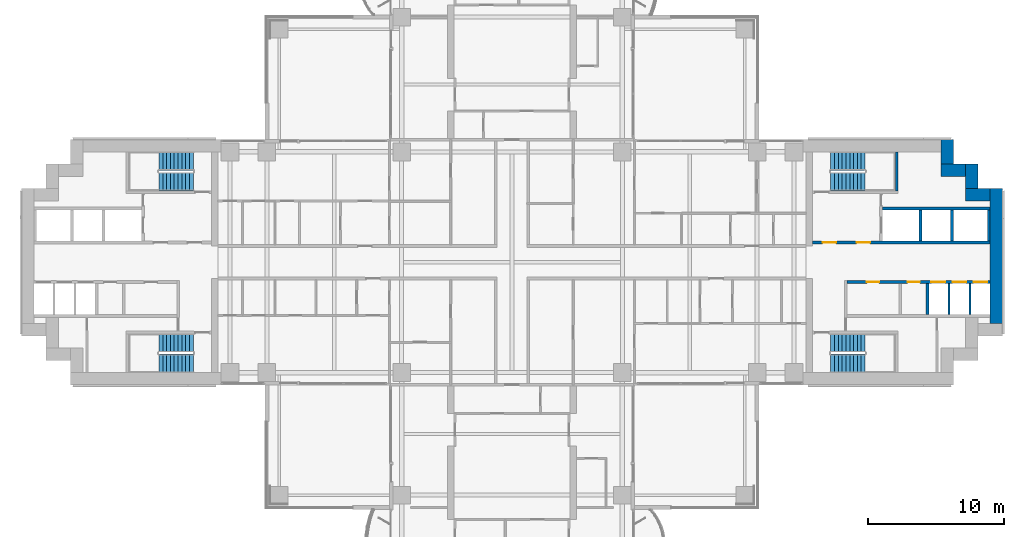
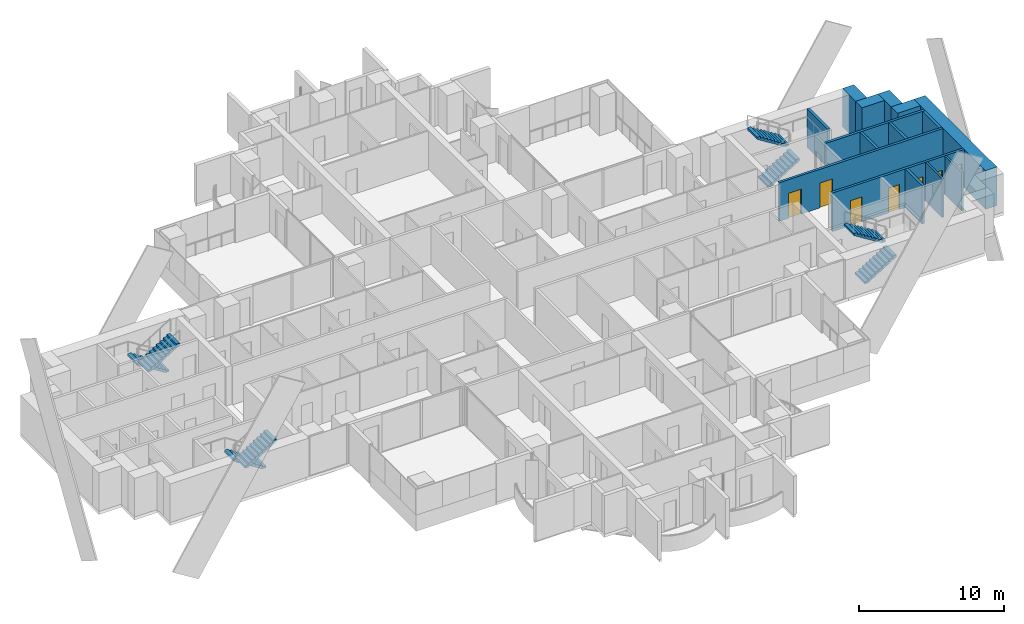
# One storey, part 17 of 21: 15 walls, 8 stair flights, 7 doors, 7 openings, 4 elements without a shape of their own.
"""IFC4 building model written with IfcOpenShell, lengths in metres."""

import ifcopenshell
import ifcopenshell.guid

model = None  # the IFC model being written
_history = None  # IfcOwnerHistory: only IFC2X3 demands one
_inside = {}  # id of a spatial element -> (the spatial element, [elements in it])
_under = {}  # id of a project, library or spatial element -> (it, [spatial elements below it])
_declared = {}  # id of a project -> (the project, [libraries it declares])
_typed = {}  # id of a type object -> (the type object, [elements of that type])
_made_of = {}  # id of a material, layer set ... -> (it, [elements and type objects made of it])


def new_model(schema):
    """Start an empty IFC model of exactly this schema.

    Asked for "IFC4X3", IfcOpenShell would pick the latest addendum, in which some entities
    have other attributes; the version numbers below select the first issue.
    IFC2X3 requires an IfcOwnerHistory on every rooted entity: one is made here for all.
    """
    global model, _history
    if schema == "IFC4X3":
        model = ifcopenshell.file(schema_version=(4, 3, 0, 0))
    else:
        model = ifcopenshell.file(schema=schema)
    _inside.clear()
    _under.clear()
    _declared.clear()
    _typed.clear()
    _made_of.clear()
    _history = None
    if model.schema == "IFC2X3":
        org = make("IfcOrganization", Name="unknown")
        user = make(
            "IfcPersonAndOrganization",
            ThePerson=make("IfcPerson", FamilyName="unknown"),
            TheOrganization=org,
        )
        app = make(
            "IfcApplication",
            ApplicationDeveloper=org,
            Version="unknown",
            ApplicationFullName="unknown",
            ApplicationIdentifier="unknown",
        )
        _history = make(
            "IfcOwnerHistory",
            OwningUser=user,
            OwningApplication=app,
            ChangeAction="ADDED",
            CreationDate=0,
        )
    return model


def make(cls, **values):
    """One entity of the class cls with the attributes given. An attribute that is None is left unset."""
    return model.create_entity(
        cls, **{name: value for name, value in values.items() if value is not None}
    )


def rooted(cls, **values):
    """An entity with a GlobalId (a new one), such as an element, a storey or a relation."""
    return make(cls, GlobalId=ifcopenshell.guid.new(), OwnerHistory=_history, **values)


def si_unit(unit_type, name, prefix=None):
    """IfcSIUnit, for example si_unit("LENGTHUNIT", "METRE", prefix="MILLI")."""
    return make("IfcSIUnit", UnitType=unit_type, Prefix=prefix, Name=name)


def assignment(units):
    """IfcUnitAssignment: the units of a project."""
    return None if units is None else make("IfcUnitAssignment", Units=units)


def point(xyz):
    """IfcCartesianPoint."""
    return None if xyz is None else make("IfcCartesianPoint", Coordinates=xyz)


def direction(xyz):
    """IfcDirection."""
    return None if xyz is None else make("IfcDirection", DirectionRatios=xyz)


def frame(location, z_axis=None, x_axis=None):
    """IfcAxis2Placement3D, a coordinate frame: its origin and axes. An axis left out is left unset."""
    return make(
        "IfcAxis2Placement3D",
        Location=point(location),
        Axis=direction(z_axis),
        RefDirection=direction(x_axis),
    )


def frame_2d(location, x_axis=None):
    """IfcAxis2Placement2D, a coordinate frame in the plane: its origin and x axis."""
    return make(
        "IfcAxis2Placement2D", Location=point(location), RefDirection=direction(x_axis)
    )


def origin():
    """The frame at (0, 0, 0) with its axes left unset."""
    return frame((0.0, 0.0, 0.0))


def place(relative_to, where):
    """IfcLocalPlacement: puts the frame where relative to a parent placement (None: the world)."""
    return make(
        "IfcLocalPlacement", PlacementRelTo=relative_to, RelativePlacement=where
    )


def context(
    kind, dimensions, precision=None, world=None, true_north=None, identifier=None
):
    """IfcGeometricRepresentationContext, for example the 3D "Model" context."""
    return make(
        "IfcGeometricRepresentationContext",
        ContextIdentifier=identifier,
        ContextType=kind,
        CoordinateSpaceDimension=dimensions,
        Precision=precision,
        WorldCoordinateSystem=world,
        TrueNorth=true_north,
    )


def subcontext(parent, identifier, kind, view, scale=None):
    """IfcGeometricRepresentationSubContext, for example "Body" below "Model"."""
    return make(
        "IfcGeometricRepresentationSubContext",
        ContextIdentifier=identifier,
        ContextType=kind,
        ParentContext=parent,
        TargetScale=scale,
        TargetView=view,
    )


def project(units=None, contexts=None):
    """IfcProject with its units and contexts."""
    return rooted(
        "IfcProject",
        Name="project",
        RepresentationContexts=contexts,
        UnitsInContext=assignment(units),
    )


def spatial(cls, under=None, at=None, **own):
    """A site, building, storey or space (cls), placed at a placement, below another one or the project."""
    s = rooted(cls, ObjectPlacement=at, **own)
    if under is not None:
        _under.setdefault(under.id(), (under, []))[1].append(s)
    return s


def polyline(points):
    """IfcPolyline through the points."""
    return make("IfcPolyline", Points=[point(p) for p in points])


def profile(cls, at=None, kind="AREA", **sizes):
    """A parametric profile (cls). Its sizes go by their IFC names, for example OverallWidth=200.0."""
    return make(cls, ProfileType=kind, Position=at, **sizes)


def rectangle(**sizes):
    """IfcRectangleProfileDef."""
    return profile("IfcRectangleProfileDef", **sizes)


def outline(outer, holes=None, kind="AREA"):
    """IfcArbitraryClosedProfileDef: a profile drawn as a closed curve; with holes, ...WithVoids."""
    if holes is None:
        return make("IfcArbitraryClosedProfileDef", ProfileType=kind, OuterCurve=outer)
    return make(
        "IfcArbitraryProfileDefWithVoids",
        ProfileType=kind,
        OuterCurve=outer,
        InnerCurves=holes,
    )


def extrude(swept, where, along, depth):
    """IfcExtrudedAreaSolid: the profile swept, set in the frame where, extruded along a direction by depth."""
    return make(
        "IfcExtrudedAreaSolid",
        SweptArea=swept,
        Position=where,
        ExtrudedDirection=direction(along),
        Depth=depth,
    )


def shape(context_of_items, identifier, shape_type, items):
    """IfcShapeRepresentation: the items that make up one representation, for example the "Body"."""
    return make(
        "IfcShapeRepresentation",
        ContextOfItems=context_of_items,
        RepresentationIdentifier=identifier,
        RepresentationType=shape_type,
        Items=items,
    )


def material(Name=None, Category=None):
    """IfcMaterial."""
    return make("IfcMaterial", Name=Name, Category=Category)


def layer(
    of_material, thickness, ventilated=None, Name=None, Category=None, Priority=None
):
    """IfcMaterialLayer: one layer of a wall or slab, of a material (None: an air gap)."""
    return make(
        "IfcMaterialLayer",
        Material=of_material,
        LayerThickness=thickness,
        IsVentilated=ventilated,
        Name=Name,
        Category=Category,
        Priority=Priority,
    )


def layer_set(layers, Name=None):
    """IfcMaterialLayerSet."""
    return make("IfcMaterialLayerSet", MaterialLayers=layers, LayerSetName=Name)


def made_of(thing, what):
    """Note that an element or type object is made of a material, layer set ...; save() writes the relation."""
    if what is not None:
        _made_of.setdefault(what.id(), (what, []))[1].append(thing)
    return thing


def type_object(cls, material=None, **own):
    """A type object (cls), such as IfcWallType, which elements share."""
    return made_of(rooted(cls, **own), material)


def element(
    cls,
    number,
    at=None,
    inside=None,
    cuts=None,
    type_object=None,
    material=None,
    context=None,
    identifier="Body",
    shape_type=None,
    held_by="IfcProductDefinitionShape",
    body=None,
    shapes=None,
    **own,
):
    """One element of the class cls, such as IfcWall. Its Tag is "e" and its number.

    at: its placement. inside: the storey or other place that contains it. cuts: it is an
    opening in that element (IfcRelVoidsElement). A single representation is given by context,
    identifier, shape_type and body (its items); several are given by shapes. held_by: the class
    of the entity that holds the representations. save() writes the other relations.
    """
    e = rooted(cls, Tag="e%d" % number, ObjectPlacement=at, **own)
    if body is not None:
        shapes = [shape(context, identifier, shape_type, body)]
    if shapes is not None:
        e.Representation = make(held_by, Representations=shapes)
    if inside is not None:
        _inside.setdefault(inside.id(), (inside, []))[1].append(e)
    if cuts is not None:
        rooted(
            "IfcRelVoidsElement", RelatingBuildingElement=cuts, RelatedOpeningElement=e
        )
    if type_object is not None:
        _typed.setdefault(type_object.id(), (type_object, []))[1].append(e)
    return made_of(e, material)


def fill(opening, filler):
    """IfcRelFillsElement: the door or window that sits in an opening."""
    return rooted(
        "IfcRelFillsElement",
        RelatingOpeningElement=opening,
        RelatedBuildingElement=filler,
    )


def aggregate(whole, parts):
    """IfcRelAggregates: a whole, such as a stair, and the parts it consists of."""
    return rooted("IfcRelAggregates", RelatingObject=whole, RelatedObjects=parts)


def save(model, path):
    """Write the relations noted so far, then the file.

    IfcRelAggregates (storeys below a building ...), IfcRelContainedInSpatialStructure (elements
    in a storey), IfcRelDefinesByType, IfcRelAssociatesMaterial and IfcRelDeclares: one each for
    every whole, place, type object, material and project.
    """
    for whole, parts in _under.values():
        aggregate(whole, parts)
    for where, things in _inside.values():
        rooted(
            "IfcRelContainedInSpatialStructure",
            RelatedElements=things,
            RelatingStructure=where,
        )
    for kind, things in _typed.values():
        rooted("IfcRelDefinesByType", RelatedObjects=things, RelatingType=kind)
    for what, things in _made_of.values():
        rooted("IfcRelAssociatesMaterial", RelatedObjects=things, RelatingMaterial=what)
    for by, libraries in _declared.values():
        rooted("IfcRelDeclares", RelatingContext=by, RelatedDefinitions=libraries)
    model.write(path)


model = new_model("IFC4")

# Units and contexts
model_context = context("Model", 3, precision=1e-05, world=origin(), true_north=direction((0.0, 1.0)))
body_context = subcontext(model_context, "Body", "Model", "MODEL_VIEW")
ifc_project = project(units=[si_unit("LENGTHUNIT", "METRE"), si_unit("AREAUNIT", "SQUARE_METRE"), si_unit("VOLUMEUNIT", "CUBIC_METRE"), si_unit("PLANEANGLEUNIT", "RADIAN"), si_unit("MASSUNIT", "GRAM", prefix="KILO")], contexts=[model_context])

# Site, building, storey
site_placement = place(None, origin())
site = spatial("IfcSite", under=ifc_project, at=site_placement, CompositionType="ELEMENT")
building_placement = place(site_placement, origin())
building = spatial("IfcBuilding", under=site, at=building_placement, Name="Perihelion Cross Residences", CompositionType="ELEMENT")
storey_placement = place(building_placement, frame((0.0, 0.0, 75.0)))
storey = spatial("IfcBuildingStorey", under=building, at=storey_placement, Name="L16", CompositionType="ELEMENT", Elevation=75.0)

# Walls
ifc_material_1 = material(Name="Concrete C60/75", Category="concrete")
ifc_layer_1 = layer(ifc_material_1, 0.89990234375)
ifc_layer_set_1 = layer_set([ifc_layer_1], Name="Core wall, outer 900")
wall_type_1 = type_object("IfcWallType", Name="Core wall, outer 900", PredefinedType="SHEAR", material=ifc_layer_set_1)
wall_1_placement = place(storey_placement, frame((35.550048828125, -4.5, 0.0), z_axis=(0.0, 0.0, 1.0), x_axis=(0.0, 1.0, 0.0)))
element("IfcWall", 1, at=wall_1_placement, inside=storey, type_object=wall_type_1, Name="East core core wall, outer", PredefinedType="SHEAR", context=body_context, shape_type="SweptSolid", body=[
    extrude(rectangle(XDim=9.89990234375, YDim=0.89990234375, at=frame_2d((4.949951171875, 0.0))), origin(), (0.0, 0.0, 1.0), 3.25),
])
for number, where, z_axis, x_axis, name in (
    (2, (33.300048828125, 4.949951171875, 0.0), (0.0, 0.0, 1.0), (1.0, 0.0, 0.0), "East core core wall, outer"),
    (3, (33.75, 5.39990234375, 0.0), (0.0, 0.0, 1.0), (0.0, 1.0, 0.0), "East core core wall, outer"),
    (4, (31.5, 6.75, 0.0), (0.0, 0.0, 1.0), (1.0, 0.0, 0.0), "East core core wall, outer"),
    (5, (31.949951171875, 7.199951171875, 0.0), (0.0, 0.0, 1.0), (0.0, 1.0, 0.0), "East core core wall, outer"),
):
    element("IfcWall", number, at=place(storey_placement, frame(where, z_axis=z_axis, x_axis=x_axis)), inside=storey, type_object=wall_type_1, Name=name, PredefinedType="SHEAR", context=body_context, shape_type="SweptSolid", body=[
        extrude(rectangle(XDim=1.800048828125, YDim=0.89990234375, at=frame_2d((0.89990234375, 0.0))), origin(), (0.0, 0.0, 1.0), 3.25),
    ])
ifc_material_2 = material(Name="Concrete C50/60", Category="concrete")
ifc_layer_2 = layer(ifc_material_2, 0.14990234375)
ifc_layer_set_2 = layer_set([ifc_layer_2], Name="Shaft wall 150")
wall_type_2 = type_object("IfcWallType", Name="Shaft wall 150", PredefinedType="SOLIDWALL", material=ifc_layer_set_2)
for number, where, z_axis, x_axis, name in (
    (6, (32.074951171875, -3.85009765625, 0.0), (0.0, 0.0, 1.0), (0.0, 1.0, 0.0), "East core shaft wall"),
    (7, (33.625, -3.85009765625, 0.0), (0.0, 0.0, 1.0), (0.0, 1.0, 0.0), "East core shaft wall"),
):
    element("IfcWall", number, at=place(storey_placement, frame(where, z_axis=z_axis, x_axis=x_axis)), inside=storey, type_object=wall_type_2, Name=name, PredefinedType="SOLIDWALL", context=body_context, shape_type="SweptSolid", body=[
        extrude(rectangle(XDim=2.300048828125, YDim=0.14990234375, at=frame_2d((1.14990234375, 0.0))), origin(), (0.0, 0.0, 1.0), 3.25),
    ])

# Wall, openings, doors
ifc_material_3 = material(Name="Concrete C50/60", Category="concrete")
ifc_layer_3 = layer(ifc_material_3, 0.199951171875)
ifc_layer_set_3 = layer_set([ifc_layer_3], Name="Shaft wall 200")
wall_type_3 = type_object("IfcWallType", Name="Shaft wall 200", PredefinedType="SOLIDWALL", material=ifc_layer_set_3)
wall_2_placement = place(storey_placement, frame((22.050048828125, 1.449951171875, 0.0), z_axis=(0.0, 0.0, 1.0), x_axis=(1.0, 0.0, 0.0)))
wall_2 = element("IfcWall", 8, at=wall_2_placement, inside=storey, type_object=wall_type_3, Name="East core shaft wall", PredefinedType="SOLIDWALL", context=body_context, shape_type="SweptSolid", body=[
    extrude(rectangle(XDim=13.050048828125, YDim=0.199951171875, at=frame_2d((6.52490234375, 0.0))), origin(), (0.0, 0.0, 1.0), 3.25),
])
opening_1_placement = place(wall_2_placement, frame((0.75, 0.0, 0.0)))
opening_1 = element("IfcOpeningElement", 9, at=opening_1_placement, cuts=wall_2, Name="Opening L16.C07", PredefinedType="OPENING", context=body_context, shape_type="SweptSolid", body=[
    extrude(rectangle(XDim=1.0, YDim=2.10009765625, at=frame_2d((0.5, 1.050048828125))), frame((0.0, 0.10986328125, 0.0), z_axis=(0.0, -1.0, 0.0), x_axis=(1.0, 0.0, 0.0)), (0.0, 0.0, 1.0), 0.219970703125),
])
opening_2_placement = place(wall_2_placement, frame((3.25, 0.0, 0.0)))
opening_2 = element("IfcOpeningElement", 10, at=opening_2_placement, cuts=wall_2, Name="Opening L16.C09", PredefinedType="OPENING", context=body_context, shape_type="SweptSolid", body=[
    extrude(rectangle(XDim=1.0, YDim=2.10009765625, at=frame_2d((0.5, 1.050048828125))), frame((0.0, 0.10986328125, 0.0), z_axis=(0.0, -1.0, 0.0), x_axis=(1.0, 0.0, 0.0)), (0.0, 0.0, 1.0), 0.219970703125),
])
ifc_material_4 = material(Name="Steel, powder coated", Category="steel")
door_type_1 = type_object("IfcDoorType", Name="Lobby door 1000", OperationType="SINGLE_SWING_LEFT", PredefinedType="DOOR", material=ifc_material_4)
door_1_placement = place(opening_1_placement, origin())
door_1 = element("IfcDoor", 11, at=door_1_placement, inside=storey, type_object=door_type_1, Name="East core firefighting lobby door", OperationType="SINGLE_SWING_LEFT", OverallHeight=2.10009765625, OverallWidth=1.0, PredefinedType="DOOR", context=body_context, shape_type="SweptSolid", body=[
    extrude(rectangle(XDim=1.0, YDim=2.10009765625, at=frame_2d((0.5, 1.050048828125))), frame((0.0, 0.02490234375, 0.0), z_axis=(0.0, -1.0, 0.0), x_axis=(1.0, 0.0, 0.0)), (0.0, 0.0, 1.0), 0.050048828125),
])
fill(opening_1, door_1)
door_2_placement = place(opening_2_placement, origin())
door_2 = element("IfcDoor", 12, at=door_2_placement, inside=storey, type_object=door_type_1, Name="East core firefighting lobby door", OperationType="SINGLE_SWING_LEFT", OverallHeight=2.10009765625, OverallWidth=1.0, PredefinedType="DOOR", context=body_context, shape_type="SweptSolid", body=[
    extrude(rectangle(XDim=1.0, YDim=2.10009765625, at=frame_2d((0.5, 1.050048828125))), frame((0.0, 0.02490234375, 0.0), z_axis=(0.0, -1.0, 0.0), x_axis=(1.0, 0.0, 0.0)), (0.0, 0.0, 1.0), 0.050048828125),
])
fill(opening_2, door_2)

wall_3_placement = place(storey_placement, frame((24.60009765625, -1.449951171875, 0.0), z_axis=(0.0, 0.0, 1.0), x_axis=(1.0, 0.0, 0.0)))
wall_3 = element("IfcWall", 13, at=wall_3_placement, inside=storey, type_object=wall_type_3, Name="East core shaft wall", PredefinedType="SOLIDWALL", context=body_context, shape_type="SweptSolid", body=[
    extrude(rectangle(XDim=10.5, YDim=0.199951171875, at=frame_2d((5.25, 0.0))), origin(), (0.0, 0.0, 1.0), 3.25),
])
opening_3_placement = place(wall_3_placement, frame((6.199951171875, 0.0, 0.0)))
opening_3 = element("IfcOpeningElement", 14, at=opening_3_placement, cuts=wall_3, Name="Opening L16.C02", PredefinedType="OPENING", context=body_context, shape_type="SweptSolid", body=[
    extrude(rectangle(XDim=1.0, YDim=2.10009765625, at=frame_2d((0.5, 1.050048828125))), frame((0.0, 0.10986328125, 0.0), z_axis=(0.0, -1.0, 0.0), x_axis=(1.0, 0.0, 0.0)), (0.0, 0.0, 1.0), 0.219970703125),
])
opening_4_placement = place(wall_3_placement, frame((7.75, 0.0, 0.0)))
opening_4 = element("IfcOpeningElement", 15, at=opening_4_placement, cuts=wall_3, Name="Opening L16.C03", PredefinedType="OPENING", context=body_context, shape_type="SweptSolid", body=[
    extrude(rectangle(XDim=1.0, YDim=2.10009765625, at=frame_2d((0.5, 1.050048828125))), frame((0.0, 0.10986328125, 0.0), z_axis=(0.0, -1.0, 0.0), x_axis=(1.0, 0.0, 0.0)), (0.0, 0.0, 1.0), 0.219970703125),
])
opening_5_placement = place(wall_3_placement, frame((9.300048828125, 0.0, 0.0)))
opening_5 = element("IfcOpeningElement", 16, at=opening_5_placement, cuts=wall_3, Name="Opening L16.C04", PredefinedType="OPENING", context=body_context, shape_type="SweptSolid", body=[
    extrude(rectangle(XDim=1.0, YDim=2.10009765625, at=frame_2d((0.5, 1.050048828125))), frame((0.0, 0.10986328125, 0.0), z_axis=(0.0, -1.0, 0.0), x_axis=(1.0, 0.0, 0.0)), (0.0, 0.0, 1.0), 0.219970703125),
])
opening_6_placement = place(wall_3_placement, frame((1.449951171875, 0.0, 0.0)))
opening_6 = element("IfcOpeningElement", 17, at=opening_6_placement, cuts=wall_3, Name="Opening L16.C10", PredefinedType="OPENING", context=body_context, shape_type="SweptSolid", body=[
    extrude(rectangle(XDim=0.89990234375, YDim=2.10009765625, at=frame_2d((0.449951171875, 1.050048828125))), frame((0.0, 0.10986328125, 0.0), z_axis=(0.0, -1.0, 0.0), x_axis=(1.0, 0.0, 0.0)), (0.0, 0.0, 1.0), 0.219970703125),
])
opening_7_placement = place(wall_3_placement, frame((4.449951171875, 0.0, 0.0)))
opening_7 = element("IfcOpeningElement", 18, at=opening_7_placement, cuts=wall_3, Name="Opening L16.C12", PredefinedType="OPENING", context=body_context, shape_type="SweptSolid", body=[
    extrude(rectangle(XDim=0.89990234375, YDim=2.10009765625, at=frame_2d((0.449951171875, 1.050048828125))), frame((0.0, 0.10986328125, 0.0), z_axis=(0.0, -1.0, 0.0), x_axis=(1.0, 0.0, 0.0)), (0.0, 0.0, 1.0), 0.219970703125),
])
ifc_material_5 = material(Name="Stainless steel", Category="steel")
door_type_2 = type_object("IfcDoorType", Name="Landing door 1000", OperationType="DOUBLE_DOOR_SLIDING", PredefinedType="DOOR", material=ifc_material_5)
door_3_placement = place(opening_3_placement, origin())
door_3 = element("IfcDoor", 19, at=door_3_placement, inside=storey, type_object=door_type_2, Name="Landing door, East core low-rise lift 1", OperationType="DOUBLE_DOOR_SLIDING", OverallHeight=2.10009765625, OverallWidth=1.0, PredefinedType="DOOR", context=body_context, shape_type="SweptSolid", body=[
    extrude(rectangle(XDim=1.0, YDim=2.10009765625, at=frame_2d((0.5, 1.050048828125))), frame((0.0, 0.02490234375, 0.0), z_axis=(0.0, -1.0, 0.0), x_axis=(1.0, 0.0, 0.0)), (0.0, 0.0, 1.0), 0.050048828125),
])
fill(opening_3, door_3)
door_4_placement = place(opening_4_placement, origin())
door_4 = element("IfcDoor", 20, at=door_4_placement, inside=storey, type_object=door_type_2, Name="Landing door, East core low-rise lift 2", OperationType="DOUBLE_DOOR_SLIDING", OverallHeight=2.10009765625, OverallWidth=1.0, PredefinedType="DOOR", context=body_context, shape_type="SweptSolid", body=[
    extrude(rectangle(XDim=1.0, YDim=2.10009765625, at=frame_2d((0.5, 1.050048828125))), frame((0.0, 0.02490234375, 0.0), z_axis=(0.0, -1.0, 0.0), x_axis=(1.0, 0.0, 0.0)), (0.0, 0.0, 1.0), 0.050048828125),
])
fill(opening_4, door_4)
door_5_placement = place(opening_5_placement, origin())
door_5 = element("IfcDoor", 21, at=door_5_placement, inside=storey, type_object=door_type_2, Name="Landing door, East core low-rise lift 3", OperationType="DOUBLE_DOOR_SLIDING", OverallHeight=2.10009765625, OverallWidth=1.0, PredefinedType="DOOR", context=body_context, shape_type="SweptSolid", body=[
    extrude(rectangle(XDim=1.0, YDim=2.10009765625, at=frame_2d((0.5, 1.050048828125))), frame((0.0, 0.02490234375, 0.0), z_axis=(0.0, -1.0, 0.0), x_axis=(1.0, 0.0, 0.0)), (0.0, 0.0, 1.0), 0.050048828125),
])
fill(opening_5, door_5)
ifc_material_6 = material(Name="Steel, powder coated", Category="steel")
door_type_3 = type_object("IfcDoorType", Name="Service room door 900", OperationType="SINGLE_SWING_LEFT", PredefinedType="DOOR", material=ifc_material_6)
door_6_placement = place(opening_6_placement, origin())
door_6 = element("IfcDoor", 22, at=door_6_placement, inside=storey, type_object=door_type_3, Name="East core service room door", OperationType="SINGLE_SWING_LEFT", OverallHeight=2.10009765625, OverallWidth=0.89990234375, PredefinedType="DOOR", context=body_context, shape_type="SweptSolid", body=[
    extrude(rectangle(XDim=0.89990234375, YDim=2.10009765625, at=frame_2d((0.449951171875, 1.050048828125))), frame((0.0, 0.02490234375, 0.0), z_axis=(0.0, -1.0, 0.0), x_axis=(1.0, 0.0, 0.0)), (0.0, 0.0, 1.0), 0.050048828125),
])
fill(opening_6, door_6)
door_7_placement = place(opening_7_placement, origin())
door_7 = element("IfcDoor", 23, at=door_7_placement, inside=storey, type_object=door_type_3, Name="East core service room door", OperationType="SINGLE_SWING_LEFT", OverallHeight=2.10009765625, OverallWidth=0.89990234375, PredefinedType="DOOR", context=body_context, shape_type="SweptSolid", body=[
    extrude(rectangle(XDim=0.89990234375, YDim=2.10009765625, at=frame_2d((0.449951171875, 1.050048828125))), frame((0.0, 0.02490234375, 0.0), z_axis=(0.0, -1.0, 0.0), x_axis=(1.0, 0.0, 0.0)), (0.0, 0.0, 1.0), 0.050048828125),
])
fill(opening_7, door_7)

# Walls
wall_4_placement = place(storey_placement, frame((27.199951171875, 3.949951171875, 0.0), z_axis=(0.0, 0.0, 1.0), x_axis=(1.0, 0.0, 0.0)))
element("IfcWall", 24, at=wall_4_placement, inside=storey, type_object=wall_type_3, Name="East core shaft wall", PredefinedType="SOLIDWALL", context=body_context, shape_type="SweptSolid", body=[
    extrude(rectangle(XDim=7.900146484375, YDim=0.199951171875, at=frame_2d((3.9501953125, 0.0))), origin(), (0.0, 0.0, 1.0), 3.25),
])
for number, where, z_axis, x_axis, name in (
    (25, (30.0, 1.550048828125, 0.0), (0.0, 0.0, 1.0), (0.0, 1.0, 0.0), "East core shaft wall"),
    (26, (32.300048828125, 1.550048828125, 0.0), (0.0, 0.0, 1.0), (0.0, 1.0, 0.0), "East core shaft wall"),
    (27, (35.0, 1.550048828125, 0.0), (0.0, 0.0, 1.0), (0.0, 1.0, 0.0), "East core shaft wall"),
    (28, (30.5, -3.85009765625, 0.0), (0.0, 0.0, 1.0), (0.0, 1.0, 0.0), "East core shaft wall"),
):
    element("IfcWall", number, at=place(storey_placement, frame(where, z_axis=z_axis, x_axis=x_axis)), inside=storey, type_object=wall_type_3, Name=name, PredefinedType="SOLIDWALL", context=body_context, shape_type="SweptSolid", body=[
        extrude(rectangle(XDim=2.300048828125, YDim=0.199951171875, at=frame_2d((1.14990234375, 0.0))), origin(), (0.0, 0.0, 1.0), 3.25),
    ])
ifc_material_7 = material(Name="Concrete C50/60", Category="concrete")
ifc_layer_4 = layer(ifc_material_7, 0.199951171875)
ifc_layer_set_4 = layer_set([ifc_layer_4], Name="Stair wall 200")
wall_type_4 = type_object("IfcWallType", Name="Stair wall 200", PredefinedType="SOLIDWALL", material=ifc_layer_set_4)
wall_5_placement = place(storey_placement, frame((28.25, 5.25, 0.0), z_axis=(0.0, 0.0, 1.0), x_axis=(0.0, 1.0, 0.0)))
element("IfcWall", 29, at=wall_5_placement, inside=storey, type_object=wall_type_4, Name="East core stair wall", PredefinedType="SOLIDWALL", context=body_context, shape_type="SweptSolid", body=[
    extrude(rectangle(XDim=2.85009765625, YDim=0.199951171875, at=frame_2d((1.425048828125, 0.0))), origin(), (0.0, 0.0, 1.0), 3.25),
])

# Stair, stair flights
ifc_material_8 = material(Name="Concrete C40/50", Category="concrete")
stair_type = type_object("IfcStairType", Name="Exit stair, half-turn", PredefinedType="HALF_TURN_STAIR", material=ifc_material_8)
stair_1_placement = place(storey_placement, origin())
stair_1 = element("IfcStair", 30, at=stair_1_placement, inside=storey, type_object=stair_type, Name="L16 East core exit stair 1", PredefinedType="HALF_TURN_STAIR")
ifc_material_9 = material(Name="Concrete C40/50", Category="concrete")
stair_flight_type = type_object("IfcStairFlightType", Name="Exit stair flight", PredefinedType="STRAIGHT", material=ifc_material_9)
stair_flight_1_placement = place(storey_placement, frame((23.39990234375, 5.925048828125, 0.0), z_axis=(0.0, 0.0, 1.0), x_axis=(1.0, 0.0, 0.0)))
stair_flight_1 = element("IfcStairFlight", 31, at=stair_flight_1_placement, type_object=stair_flight_type, Name="ST-E1 flight 1", NumberOfRisers=10, NumberOfTreads=9, PredefinedType="STRAIGHT", RiserHeight=0.175, TreadLength=0.28, context=body_context, shape_type="SweptSolid", body=[
    extrude(outline(polyline([(0.0, 0.0), (0.0, 0.175048828125), (0.280029296875, 0.175048828125), (0.280029296875, 0.35009765625), (0.56005859375, 0.35009765625), (0.56005859375, 0.52490234375), (0.840087890625, 0.52490234375), (0.840087890625, 0.699951171875), (1.1201171875, 0.699951171875), (1.1201171875, 0.875), (1.39990234375, 0.875), (1.39990234375, 1.050048828125), (1.679931640625, 1.050048828125), (1.679931640625, 1.22509765625), (1.9599609375, 1.22509765625), (1.9599609375, 1.39990234375), (2.239990234375, 1.39990234375), (2.239990234375, 1.574951171875), (2.52001953125, 1.574951171875), (2.52001953125, 1.75), (2.52001953125, 1.398193359375), (0.28271484375, 0.0), (0.0, 0.0)])), frame((0.0, 0.675048828125, 0.0), z_axis=(0.0, -1.0, 0.0), x_axis=(1.0, 0.0, 0.0)), (0.0, 0.0, 1.0), 1.35009765625),
])
stair_flight_2_placement = place(storey_placement, frame((25.919921875, 7.425048828125, 1.75), z_axis=(0.0, 0.0, 1.0), x_axis=(-1.0, 0.0, 0.0)))
stair_flight_2 = element("IfcStairFlight", 32, at=stair_flight_2_placement, type_object=stair_flight_type, Name="ST-E1 flight 2", NumberOfRisers=10, NumberOfTreads=9, PredefinedType="STRAIGHT", RiserHeight=0.175, TreadLength=0.28, context=body_context, shape_type="SweptSolid", body=[
    extrude(outline(polyline([(0.0, 0.0), (0.0, 0.175048828125), (0.280029296875, 0.175048828125), (0.280029296875, 0.35009765625), (0.56005859375, 0.35009765625), (0.56005859375, 0.52490234375), (0.840087890625, 0.52490234375), (0.840087890625, 0.699951171875), (1.1201171875, 0.699951171875), (1.1201171875, 0.875), (1.39990234375, 0.875), (1.39990234375, 1.050048828125), (1.679931640625, 1.050048828125), (1.679931640625, 1.22509765625), (1.9599609375, 1.22509765625), (1.9599609375, 1.39990234375), (2.239990234375, 1.39990234375), (2.239990234375, 1.574951171875), (2.52001953125, 1.574951171875), (2.52001953125, 1.75), (2.52001953125, 1.398193359375), (0.28271484375, 0.0), (0.0, 0.0)])), frame((0.0, 0.675048828125, 0.0), z_axis=(0.0, -1.0, 0.0), x_axis=(1.0, 0.0, 0.0)), (0.0, 0.0, 1.0), 1.35009765625),
])
aggregate(stair_1, [stair_flight_1, stair_flight_2])

stair_2_placement = place(storey_placement, origin())
stair_2 = element("IfcStair", 33, at=stair_2_placement, inside=storey, type_object=stair_type, Name="L16 East core exit stair 2", PredefinedType="HALF_TURN_STAIR")
stair_flight_3_placement = place(storey_placement, frame((23.39990234375, -7.425048828125, 0.0), z_axis=(0.0, 0.0, 1.0), x_axis=(1.0, 0.0, 0.0)))
stair_flight_3 = element("IfcStairFlight", 34, at=stair_flight_3_placement, type_object=stair_flight_type, Name="ST-E2 flight 1", NumberOfRisers=10, NumberOfTreads=9, PredefinedType="STRAIGHT", RiserHeight=0.175, TreadLength=0.28, context=body_context, shape_type="SweptSolid", body=[
    extrude(outline(polyline([(0.0, 0.0), (0.0, 0.175048828125), (0.280029296875, 0.175048828125), (0.280029296875, 0.35009765625), (0.56005859375, 0.35009765625), (0.56005859375, 0.52490234375), (0.840087890625, 0.52490234375), (0.840087890625, 0.699951171875), (1.1201171875, 0.699951171875), (1.1201171875, 0.875), (1.39990234375, 0.875), (1.39990234375, 1.050048828125), (1.679931640625, 1.050048828125), (1.679931640625, 1.22509765625), (1.9599609375, 1.22509765625), (1.9599609375, 1.39990234375), (2.239990234375, 1.39990234375), (2.239990234375, 1.574951171875), (2.52001953125, 1.574951171875), (2.52001953125, 1.75), (2.52001953125, 1.398193359375), (0.28271484375, 0.0), (0.0, 0.0)])), frame((0.0, 0.675048828125, 0.0), z_axis=(0.0, -1.0, 0.0), x_axis=(1.0, 0.0, 0.0)), (0.0, 0.0, 1.0), 1.35009765625),
])
stair_flight_4_placement = place(storey_placement, frame((25.919921875, -5.925048828125, 1.75), z_axis=(0.0, 0.0, 1.0), x_axis=(-1.0, 0.0, 0.0)))
stair_flight_4 = element("IfcStairFlight", 35, at=stair_flight_4_placement, type_object=stair_flight_type, Name="ST-E2 flight 2", NumberOfRisers=10, NumberOfTreads=9, PredefinedType="STRAIGHT", RiserHeight=0.175, TreadLength=0.28, context=body_context, shape_type="SweptSolid", body=[
    extrude(outline(polyline([(0.0, 0.0), (0.0, 0.175048828125), (0.280029296875, 0.175048828125), (0.280029296875, 0.35009765625), (0.56005859375, 0.35009765625), (0.56005859375, 0.52490234375), (0.840087890625, 0.52490234375), (0.840087890625, 0.699951171875), (1.1201171875, 0.699951171875), (1.1201171875, 0.875), (1.39990234375, 0.875), (1.39990234375, 1.050048828125), (1.679931640625, 1.050048828125), (1.679931640625, 1.22509765625), (1.9599609375, 1.22509765625), (1.9599609375, 1.39990234375), (2.239990234375, 1.39990234375), (2.239990234375, 1.574951171875), (2.52001953125, 1.574951171875), (2.52001953125, 1.75), (2.52001953125, 1.398193359375), (0.28271484375, 0.0), (0.0, 0.0)])), frame((0.0, 0.675048828125, 0.0), z_axis=(0.0, -1.0, 0.0), x_axis=(1.0, 0.0, 0.0)), (0.0, 0.0, 1.0), 1.35009765625),
])
aggregate(stair_2, [stair_flight_3, stair_flight_4])

stair_3_placement = place(storey_placement, origin())
stair_3 = element("IfcStair", 36, at=stair_3_placement, inside=storey, type_object=stair_type, Name="L16 West core exit stair 1", PredefinedType="HALF_TURN_STAIR")
stair_flight_5_placement = place(storey_placement, frame((-23.39990234375, 7.425048828125, 0.0), z_axis=(0.0, 0.0, 1.0), x_axis=(-1.0, 0.0, 0.0)))
stair_flight_5 = element("IfcStairFlight", 37, at=stair_flight_5_placement, type_object=stair_flight_type, Name="ST-W1 flight 1", NumberOfRisers=10, NumberOfTreads=9, PredefinedType="STRAIGHT", RiserHeight=0.175, TreadLength=0.28, context=body_context, shape_type="SweptSolid", body=[
    extrude(outline(polyline([(0.0, 0.0), (0.0, 0.175048828125), (0.280029296875, 0.175048828125), (0.280029296875, 0.35009765625), (0.56005859375, 0.35009765625), (0.56005859375, 0.52490234375), (0.840087890625, 0.52490234375), (0.840087890625, 0.699951171875), (1.1201171875, 0.699951171875), (1.1201171875, 0.875), (1.39990234375, 0.875), (1.39990234375, 1.050048828125), (1.679931640625, 1.050048828125), (1.679931640625, 1.22509765625), (1.9599609375, 1.22509765625), (1.9599609375, 1.39990234375), (2.239990234375, 1.39990234375), (2.239990234375, 1.574951171875), (2.52001953125, 1.574951171875), (2.52001953125, 1.75), (2.52001953125, 1.398193359375), (0.28271484375, 0.0), (0.0, 0.0)])), frame((0.0, 0.675048828125, 0.0), z_axis=(0.0, -1.0, 0.0), x_axis=(1.0, 0.0, 0.0)), (0.0, 0.0, 1.0), 1.35009765625),
])
stair_flight_6_placement = place(storey_placement, frame((-25.919921875, 5.925048828125, 1.75), z_axis=(0.0, 0.0, 1.0), x_axis=(1.0, 0.0, 0.0)))
stair_flight_6 = element("IfcStairFlight", 38, at=stair_flight_6_placement, type_object=stair_flight_type, Name="ST-W1 flight 2", NumberOfRisers=10, NumberOfTreads=9, PredefinedType="STRAIGHT", RiserHeight=0.175, TreadLength=0.28, context=body_context, shape_type="SweptSolid", body=[
    extrude(outline(polyline([(0.0, 0.0), (0.0, 0.175048828125), (0.280029296875, 0.175048828125), (0.280029296875, 0.35009765625), (0.56005859375, 0.35009765625), (0.56005859375, 0.52490234375), (0.840087890625, 0.52490234375), (0.840087890625, 0.699951171875), (1.1201171875, 0.699951171875), (1.1201171875, 0.875), (1.39990234375, 0.875), (1.39990234375, 1.050048828125), (1.679931640625, 1.050048828125), (1.679931640625, 1.22509765625), (1.9599609375, 1.22509765625), (1.9599609375, 1.39990234375), (2.239990234375, 1.39990234375), (2.239990234375, 1.574951171875), (2.52001953125, 1.574951171875), (2.52001953125, 1.75), (2.52001953125, 1.398193359375), (0.28271484375, 0.0), (0.0, 0.0)])), frame((0.0, 0.675048828125, 0.0), z_axis=(0.0, -1.0, 0.0), x_axis=(1.0, 0.0, 0.0)), (0.0, 0.0, 1.0), 1.35009765625),
])
aggregate(stair_3, [stair_flight_5, stair_flight_6])

stair_4_placement = place(storey_placement, origin())
stair_4 = element("IfcStair", 39, at=stair_4_placement, inside=storey, type_object=stair_type, Name="L16 West core exit stair 2", PredefinedType="HALF_TURN_STAIR")
stair_flight_7_placement = place(storey_placement, frame((-23.39990234375, -5.925048828125, 0.0), z_axis=(0.0, 0.0, 1.0), x_axis=(-1.0, 0.0, 0.0)))
stair_flight_7 = element("IfcStairFlight", 40, at=stair_flight_7_placement, type_object=stair_flight_type, Name="ST-W2 flight 1", NumberOfRisers=10, NumberOfTreads=9, PredefinedType="STRAIGHT", RiserHeight=0.175, TreadLength=0.28, context=body_context, shape_type="SweptSolid", body=[
    extrude(outline(polyline([(0.0, 0.0), (0.0, 0.175048828125), (0.280029296875, 0.175048828125), (0.280029296875, 0.35009765625), (0.56005859375, 0.35009765625), (0.56005859375, 0.52490234375), (0.840087890625, 0.52490234375), (0.840087890625, 0.699951171875), (1.1201171875, 0.699951171875), (1.1201171875, 0.875), (1.39990234375, 0.875), (1.39990234375, 1.050048828125), (1.679931640625, 1.050048828125), (1.679931640625, 1.22509765625), (1.9599609375, 1.22509765625), (1.9599609375, 1.39990234375), (2.239990234375, 1.39990234375), (2.239990234375, 1.574951171875), (2.52001953125, 1.574951171875), (2.52001953125, 1.75), (2.52001953125, 1.398193359375), (0.28271484375, 0.0), (0.0, 0.0)])), frame((0.0, 0.675048828125, 0.0), z_axis=(0.0, -1.0, 0.0), x_axis=(1.0, 0.0, 0.0)), (0.0, 0.0, 1.0), 1.35009765625),
])
stair_flight_8_placement = place(storey_placement, frame((-25.919921875, -7.425048828125, 1.75), z_axis=(0.0, 0.0, 1.0), x_axis=(1.0, 0.0, 0.0)))
stair_flight_8 = element("IfcStairFlight", 41, at=stair_flight_8_placement, type_object=stair_flight_type, Name="ST-W2 flight 2", NumberOfRisers=10, NumberOfTreads=9, PredefinedType="STRAIGHT", RiserHeight=0.175, TreadLength=0.28, context=body_context, shape_type="SweptSolid", body=[
    extrude(outline(polyline([(0.0, 0.0), (0.0, 0.175048828125), (0.280029296875, 0.175048828125), (0.280029296875, 0.35009765625), (0.56005859375, 0.35009765625), (0.56005859375, 0.52490234375), (0.840087890625, 0.52490234375), (0.840087890625, 0.699951171875), (1.1201171875, 0.699951171875), (1.1201171875, 0.875), (1.39990234375, 0.875), (1.39990234375, 1.050048828125), (1.679931640625, 1.050048828125), (1.679931640625, 1.22509765625), (1.9599609375, 1.22509765625), (1.9599609375, 1.39990234375), (2.239990234375, 1.39990234375), (2.239990234375, 1.574951171875), (2.52001953125, 1.574951171875), (2.52001953125, 1.75), (2.52001953125, 1.398193359375), (0.28271484375, 0.0), (0.0, 0.0)])), frame((0.0, 0.675048828125, 0.0), z_axis=(0.0, -1.0, 0.0), x_axis=(1.0, 0.0, 0.0)), (0.0, 0.0, 1.0), 1.35009765625),
])
aggregate(stair_4, [stair_flight_7, stair_flight_8])

save(model, "model.ifc")
